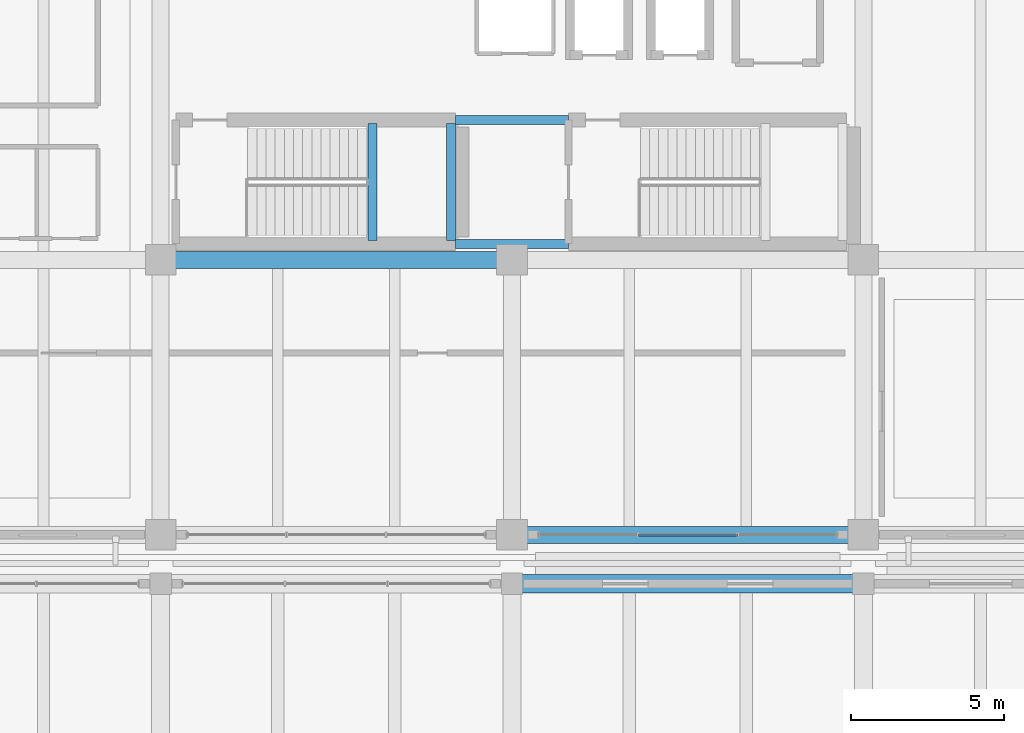
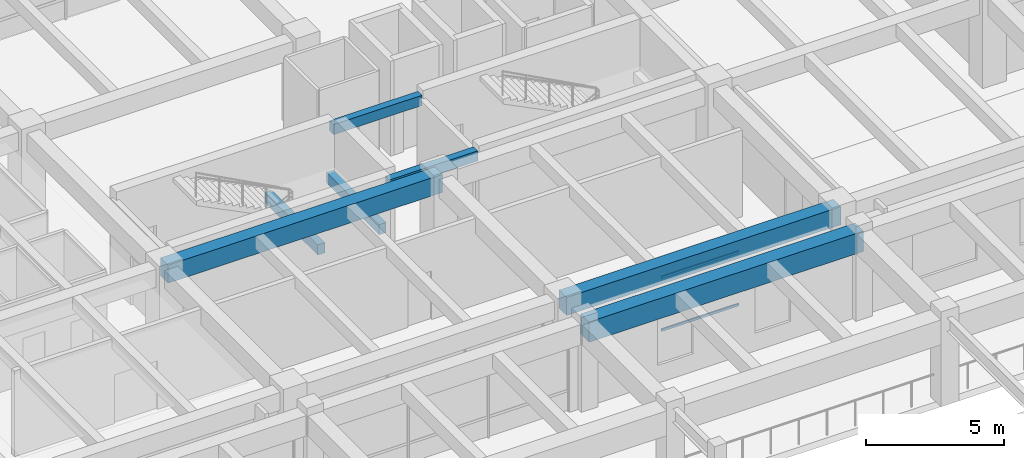
# One storey, part 56 of 98: 7 beams, 2 members, 1 element without a shape of its own.
"""IFC4 building model written with IfcOpenShell, lengths in metres."""

from ifc_helpers import new_model, si_unit, direction, frame, origin, origin_2d, place, context, subcontext, project, spatial, rectangle, hollow_rectangle, extrude, material, material_profile, profile_set, type_object, element, aggregate, save


model = new_model("IFC4")

# Units and contexts
model_context = context("Model", 3, precision=1e-05, world=origin(), true_north=direction((0.0, 1.0)))
body_context = subcontext(model_context, "Body", "Model", "MODEL_VIEW")
ifc_project = project(units=[si_unit("LENGTHUNIT", "METRE"), si_unit("AREAUNIT", "SQUARE_METRE"), si_unit("VOLUMEUNIT", "CUBIC_METRE"), si_unit("PLANEANGLEUNIT", "RADIAN"), si_unit("MASSUNIT", "GRAM", prefix="KILO")], contexts=[model_context])

# Site, building, storey
site_placement = place(None, origin())
site = spatial("IfcSite", under=ifc_project, at=site_placement, CompositionType="ELEMENT")
building_placement = place(site_placement, origin())
building = spatial("IfcBuilding", under=site, at=building_placement, Name="Ologun Quay Terminus", CompositionType="ELEMENT")
storey_placement = place(building_placement, frame((0.0, 0.0, 4.199951171875)))
storey = spatial("IfcBuildingStorey", under=building, at=storey_placement, Name="L01", CompositionType="ELEMENT", Elevation=4.199951171875)

# Beams
ifc_material_1 = material(Name="Concrete C40/50", Category="concrete")
ifc_material_profile_1 = material_profile(ifc_material_1, rectangle(XDim=0.300048828125, YDim=0.449951171875, at=origin_2d()), Name="RC 300x450")
ifc_profile_set_1 = profile_set([ifc_material_profile_1], Name="Concrete C40/50")
beam_type_1 = type_object("IfcBeamType", Name="Core Coupling Lintel Beam 300x450", PredefinedType="LINTEL", material=ifc_profile_set_1)
for number, where, z_axis, x_axis, name in (
    (1, (136.14990234375, 95.324951171875, 3.72509765625), (1.0, 0.0, 0.0), (0.0, 1.0, 0.0), "LN1 Beam 13/H L01"),
    (2, (136.14990234375, 99.375, 3.72509765625), (1.0, 0.0, 0.0), (0.0, 1.0, 0.0), "LN1 Beam 13/H L01"),
):
    element("IfcBeam", number, at=place(storey_placement, frame(where, z_axis=z_axis, x_axis=x_axis)), inside=storey, type_object=beam_type_1, Name=name, PredefinedType="LINTEL", context=body_context, shape_type="SweptSolid", body=[
        extrude(rectangle(XDim=0.300048828125, YDim=0.449951171875, at=origin_2d()), origin(), (0.0, 0.0, 1.0), 3.7001953125),
    ])
for number, where, z_axis, x_axis, name in (
    (3, (133.43994140625, 95.429931640625, 1.695068359375), (0.0, 1.0, 0.0), (-1.0, 0.0, 0.0), "LN1 Half-Landing Ledger Beam ST-E1-W L01"),
    (4, (136.010009765625, 95.429931640625, 1.695068359375), (0.0, 1.0, 0.0), (-1.0, 0.0, 0.0), "LN1 Half-Landing Ledger Beam ST-E1-E L01"),
):
    element("IfcBeam", number, at=place(storey_placement, frame(where, z_axis=z_axis, x_axis=x_axis)), inside=storey, type_object=beam_type_1, Name=name, PredefinedType="LINTEL", context=body_context, shape_type="SweptSolid", body=[
        extrude(rectangle(XDim=0.300048828125, YDim=0.449951171875, at=origin_2d()), origin(), (0.0, 0.0, 1.0), 3.840087890625),
    ])

# Curtain wall, members
ifc_material_2 = material(Name="Aluminium 6063-T6", Category="aluminium")
curtain_wall_type = type_object("IfcCurtainWallType", Name="Waterfront Pavilion Harbour Curtain Wall L01 10500x3850", PredefinedType="USERDEFINED", material=ifc_material_2)
curtain_wall_placement = place(storey_placement, origin())
curtain_wall = element("IfcCurtainWall", 5, at=curtain_wall_placement, inside=storey, type_object=curtain_wall_type, Name="CW-23 Curtain Wall CW-L01-125", ObjectType="UNITISED CURTAIN WALL", PredefinedType="USERDEFINED")
ifc_material_3 = material(Name="Aluminium 6063-T6", Category="aluminium")
ifc_material_profile_2 = material_profile(ifc_material_3, hollow_rectangle(XDim=0.054931640625, YDim=0.110107421875, WallThickness=0.00390625, at=origin_2d()), Name="ALU 110x55x4")
ifc_profile_set_2 = profile_set([ifc_material_profile_2], Name="Aluminium 6063-T6")
member_type = type_object("IfcMemberType", Name="Courtyard Screen Transom 110x55", PredefinedType="USERDEFINED", material=ifc_profile_set_2)
member_1_placement = place(storey_placement, frame((142.123291015625, 85.800048828125, 0.900146484375), z_axis=(1.0, 0.0, 0.0), x_axis=(0.0, 1.0, 0.0)))
member_1 = element("IfcMember", 6, at=member_1_placement, type_object=member_type, Name="CW-L01-125 Transom B2-1", ObjectType="TRANSOM", PredefinedType="USERDEFINED", context=body_context, shape_type="SweptSolid", body=[
    extrude(hollow_rectangle(XDim=0.054931640625, YDim=0.110107421875, WallThickness=0.00390625, at=origin_2d()), origin(), (0.0, 0.0, 1.0), 3.25341796875),
])
member_2_placement = place(storey_placement, frame((142.123291015625, 85.800048828125, 3.22998046875), z_axis=(1.0, 0.0, 0.0), x_axis=(0.0, 1.0, 0.0)))
member_2 = element("IfcMember", 7, at=member_2_placement, type_object=member_type, Name="CW-L01-125 Transom B2-2", ObjectType="TRANSOM", PredefinedType="USERDEFINED", context=body_context, shape_type="SweptSolid", body=[
    extrude(hollow_rectangle(XDim=0.054931640625, YDim=0.110107421875, WallThickness=0.00390625, at=origin_2d()), origin(), (0.0, 0.0, 1.0), 3.25341796875),
])
aggregate(curtain_wall, [member_1, member_2])

# Beams
ifc_material_4 = material(Name="Concrete C40/50", Category="concrete")
ifc_material_profile_3 = material_profile(ifc_material_4, rectangle(XDim=0.550048828125, YDim=0.800048828125, at=origin_2d()), Name="RC 550x800")
ifc_profile_set_3 = profile_set([ifc_material_profile_3], Name="Concrete C40/50")
beam_type_2 = type_object("IfcBeamType", Name="Courtyard Wing Primary Girder 550x800", PredefinedType="BEAM", material=ifc_profile_set_3)
for number, where, z_axis, x_axis, name in (
    (8, (138.0, 85.800048828125, 3.550048828125), (1.0, 0.0, 0.0), (0.0, 1.0, 0.0), "B4 Beam 13/G2 L01"),
    (9, (126.5, 94.800048828125, 3.550048828125), (1.0, 0.0, 0.0), (0.0, 1.0, 0.0), "B4 Beam 12/H L01"),
):
    element("IfcBeam", number, at=place(storey_placement, frame(where, z_axis=z_axis, x_axis=x_axis)), inside=storey, type_object=beam_type_2, Name=name, PredefinedType="BEAM", context=body_context, shape_type="SweptSolid", body=[
        extrude(rectangle(XDim=0.550048828125, YDim=0.800048828125, at=origin_2d()), origin(), (0.0, 0.0, 1.0), 11.5),
    ])
ifc_material_5 = material(Name="Concrete C40/50", Category="concrete")
ifc_material_profile_4 = material_profile(ifc_material_5, rectangle(XDim=0.60009765625, YDim=0.89990234375, at=origin_2d()), Name="RC 600x900")
ifc_profile_set_4 = profile_set([ifc_material_profile_4], Name="Concrete C40/50")
beam_type_3 = type_object("IfcBeamType", Name="Station Frame Girder 600x900", PredefinedType="BEAM", material=ifc_profile_set_4)
beam_placement = place(storey_placement, frame((138.0, 84.199951171875, 3.400146484375), z_axis=(1.0, 0.0, 0.0), x_axis=(0.0, 1.0, 0.0)))
element("IfcBeam", 10, at=beam_placement, inside=storey, type_object=beam_type_3, Name="B3 Beam 13/G1 L01", PredefinedType="BEAM", context=body_context, shape_type="SweptSolid", body=[
    extrude(rectangle(XDim=0.60009765625, YDim=0.89990234375, at=origin_2d()), origin(), (0.0, 0.0, 1.0), 11.5),
])

save(model, "model.ifc")
